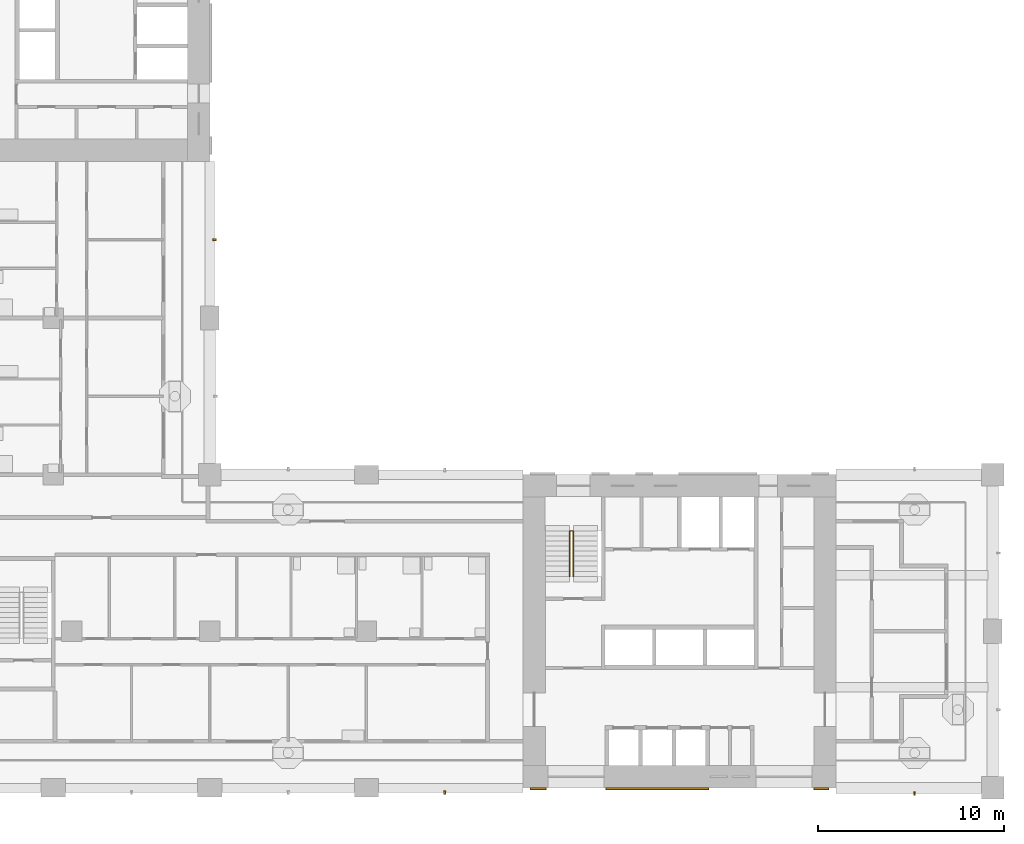
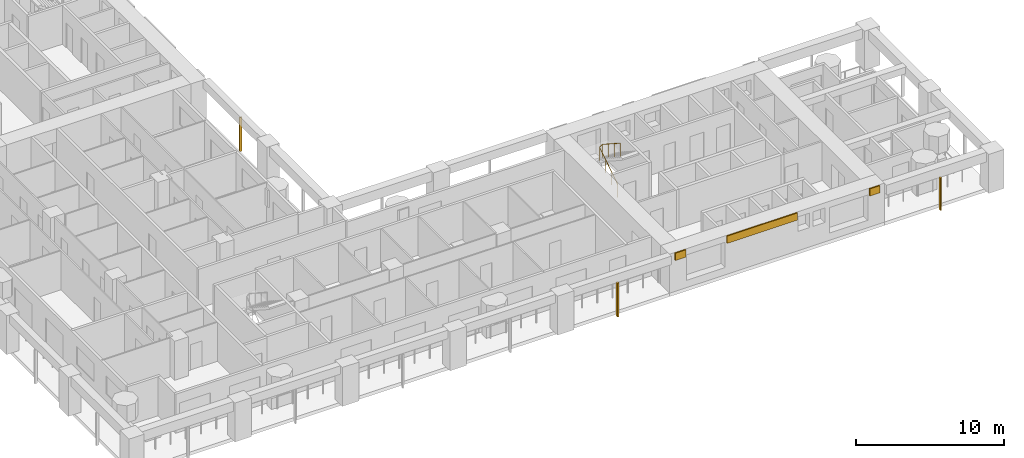
# One storey, part 12 of 19: 6 shading devices, 1 railing.
"""IFC4 building model written with IfcOpenShell, lengths in metres."""

from ifc_helpers import new_model, si_unit, direction, frame, origin, origin_2d, place, context, subcontext, project, spatial, rectangle, circle, extrude, material, layer, layer_set, material_profile, profile_set, type_object, element, save


model = new_model("IFC4")

# Units and contexts
model_context = context("Model", 3, precision=1e-05, world=origin(), true_north=direction((0.0, 1.0)))
body_context = subcontext(model_context, "Body", "Model", "MODEL_VIEW")
ifc_project = project(units=[si_unit("LENGTHUNIT", "METRE"), si_unit("AREAUNIT", "SQUARE_METRE"), si_unit("VOLUMEUNIT", "CUBIC_METRE"), si_unit("PLANEANGLEUNIT", "RADIAN"), si_unit("MASSUNIT", "GRAM", prefix="KILO")], contexts=[model_context])

# Site, building, storey
site_placement = place(None, origin())
site = spatial("IfcSite", under=ifc_project, at=site_placement, CompositionType="ELEMENT")
building_placement = place(site_placement, origin())
building = spatial("IfcBuilding", under=site, at=building_placement, Name="Vermilion Gate Residences", CompositionType="ELEMENT")
storey_placement = place(building_placement, frame((0.0, 0.0, 123.199951171875)))
storey = spatial("IfcBuildingStorey", under=building, at=storey_placement, Name="L31", CompositionType="ELEMENT", Elevation=123.199951171875)

# Railing
ifc_material_1 = material(Name="Steel S355", Category="steel")
railing_type = type_object("IfcRailingType", Name="STAIR GUARD 1100 STEEL", PredefinedType="GUARDRAIL", material=ifc_material_1)
railing_placement = place(storey_placement, frame((44.5, 19.75, 0.175048828125)))
element("IfcRailing", 1, at=railing_placement, inside=storey, type_object=railing_type, Name="Stair well guard STA1-31", PredefinedType="GUARDRAIL", context=body_context, shape_type="SweptSolid", body=[
    extrude(circle(Radius=0.02392578125, at=origin_2d()), frame((0.0, 0.0, 1.076171875), z_axis=(0.0, 0.839153699163, 0.543894354798), x_axis=(-1.0, 0.0, 0.0)), (0.0, 0.0, 1.0), 2.895751953125),
    extrude(circle(Radius=0.02392578125, at=origin_2d()), frame((0.0, 2.429931640625, 2.65087890625), z_axis=(0.752405939678, 0.0, 0.658699705433), x_axis=(0.0, 1.0, 0.0)), (0.0, 0.0, 1.0), 0.265869140625),
    extrude(circle(Radius=0.02392578125, at=origin_2d()), frame((0.199951171875, 2.429931640625, 2.826171875), z_axis=(0.0, -0.839153699163, 0.543894354798), x_axis=(1.0, 0.0, 0.0)), (0.0, 0.0, 1.0), 2.895751953125),
    extrude(circle(Radius=0.02099609375, at=origin_2d()), origin(), (0.0, 0.0, 1.0), 1.052001953125),
    extrude(circle(Radius=0.02099609375, at=origin_2d()), frame((0.0, 0.81005859375, 0.52490234375)), (0.0, 0.0, 1.0), 1.052001953125),
    extrude(circle(Radius=0.02099609375, at=origin_2d()), frame((0.0, 1.619873046875, 1.050048828125)), (0.0, 0.0, 1.0), 1.052001953125),
    extrude(circle(Radius=0.02099609375, at=origin_2d()), frame((0.0, 2.429931640625, 1.574951171875)), (0.0, 0.0, 1.0), 1.052001953125),
    extrude(circle(Radius=0.02099609375, at=origin_2d()), frame((0.199951171875, 2.429931640625, 1.75)), (0.0, 0.0, 1.0), 1.052001953125),
    extrude(circle(Radius=0.02099609375, at=origin_2d()), frame((0.199951171875, 1.619873046875, 2.27490234375)), (0.0, 0.0, 1.0), 1.052001953125),
    extrude(circle(Radius=0.02099609375, at=origin_2d()), frame((0.199951171875, 0.81005859375, 2.800048828125)), (0.0, 0.0, 1.0), 1.052001953125),
    extrude(circle(Radius=0.02099609375, at=origin_2d()), frame((0.199951171875, 0.0, 3.324951171875)), (0.0, 0.0, 1.0), 1.052001953125),
])

# Shading devices
ifc_material_2 = material(Name="Extruded terracotta", Category="masonry")
ifc_material_profile = material_profile(ifc_material_2, rectangle(XDim=0.199951171875, YDim=0.10009765625, at=origin_2d()), Name="BAGUETTE 100 X 200")
ifc_profile_set = profile_set([ifc_material_profile], Name="Extruded terracotta")
shading_device_type_1 = type_object("IfcShadingDeviceType", Name="TERRACOTTA BAGUETTE 100 X 200", PredefinedType="JALOUSIE", material=ifc_profile_set)
shading_device_1_placement = place(storey_placement, frame((37.800048828125, 8.14990234375, -0.280029296875), z_axis=(0.0, 0.0, 1.0), x_axis=(0.0, 1.0, 0.0)))
element("IfcShadingDevice", 2, at=shading_device_1_placement, inside=storey, type_object=shading_device_type_1, Name="BAGUETTE", PredefinedType="JALOUSIE", context=body_context, shape_type="SweptSolid", body=[
    extrude(rectangle(XDim=0.199951171875, YDim=0.10009765625, at=origin_2d()), origin(), (0.0, 0.0, 1.0), 2.800048828125),
])
shading_device_2_placement = place(storey_placement, frame((63.0, 8.10009765625, -0.280029296875), z_axis=(0.0, 0.0, 1.0), x_axis=(0.0, 1.0, 0.0)))
element("IfcShadingDevice", 3, at=shading_device_2_placement, inside=storey, type_object=shading_device_type_1, Name="BAGUETTE", PredefinedType="JALOUSIE", context=body_context, shape_type="SweptSolid", body=[
    extrude(rectangle(XDim=0.199951171875, YDim=0.10009765625, at=origin_2d()), origin(), (0.0, 0.0, 1.0), 2.7001953125),
])
shading_device_3_placement = place(storey_placement, frame((25.449951171875, 37.800048828125, -0.280029296875), z_axis=(0.0, 0.0, 1.0), x_axis=(-1.0, 0.0, 0.0)))
element("IfcShadingDevice", 4, at=shading_device_3_placement, inside=storey, type_object=shading_device_type_1, Name="BAGUETTE", PredefinedType="JALOUSIE", context=body_context, shape_type="SweptSolid", body=[
    extrude(rectangle(XDim=0.199951171875, YDim=0.10009765625, at=origin_2d()), origin(), (0.0, 0.0, 1.0), 2.800048828125),
])
ifc_material_3 = material(Name="Extruded terracotta", Category="masonry")
ifc_layer = layer(ifc_material_3, 0.10009765625)
ifc_layer_set = layer_set([ifc_layer], Name="TERRACOTTA SPANDREL BAND 600 X 100")
shading_device_type_2 = type_object("IfcShadingDeviceType", Name="TERRACOTTA SPANDREL BAND 600 X 100", PredefinedType="USERDEFINED", material=ifc_layer_set)
shading_device_4_placement = place(storey_placement, frame((42.824951171875, 8.35009765625, 2.6201171875), z_axis=(0.0, 0.0, 1.0), x_axis=(1.0, 0.0, 0.0)))
element("IfcShadingDevice", 5, at=shading_device_4_placement, inside=storey, type_object=shading_device_type_2, Name="SPANDREL BAND", ObjectType="BAND", PredefinedType="USERDEFINED", context=body_context, shape_type="SweptSolid", body=[
    extrude(rectangle(XDim=0.85009765625, YDim=0.10009765625, at=origin_2d()), origin(), (0.0, 0.0, 1.0), 0.60009765625),
])
shading_device_5_placement = place(storey_placement, frame((49.199951171875, 8.35009765625, 2.6201171875), z_axis=(0.0, 0.0, 1.0), x_axis=(1.0, 0.0, 0.0)))
element("IfcShadingDevice", 6, at=shading_device_5_placement, inside=storey, type_object=shading_device_type_2, Name="SPANDREL BAND", ObjectType="BAND", PredefinedType="USERDEFINED", context=body_context, shape_type="SweptSolid", body=[
    extrude(rectangle(XDim=5.5, YDim=0.10009765625, at=origin_2d()), origin(), (0.0, 0.0, 1.0), 0.60009765625),
])
shading_device_6_placement = place(storey_placement, frame((58.0, 8.35009765625, 2.6201171875), z_axis=(0.0, 0.0, 1.0), x_axis=(1.0, 0.0, 0.0)))
element("IfcShadingDevice", 7, at=shading_device_6_placement, inside=storey, type_object=shading_device_type_2, Name="SPANDREL BAND", ObjectType="BAND", PredefinedType="USERDEFINED", context=body_context, shape_type="SweptSolid", body=[
    extrude(rectangle(XDim=0.800048828125, YDim=0.10009765625, at=origin_2d()), origin(), (0.0, 0.0, 1.0), 0.60009765625),
])

save(model, "model.ifc")
